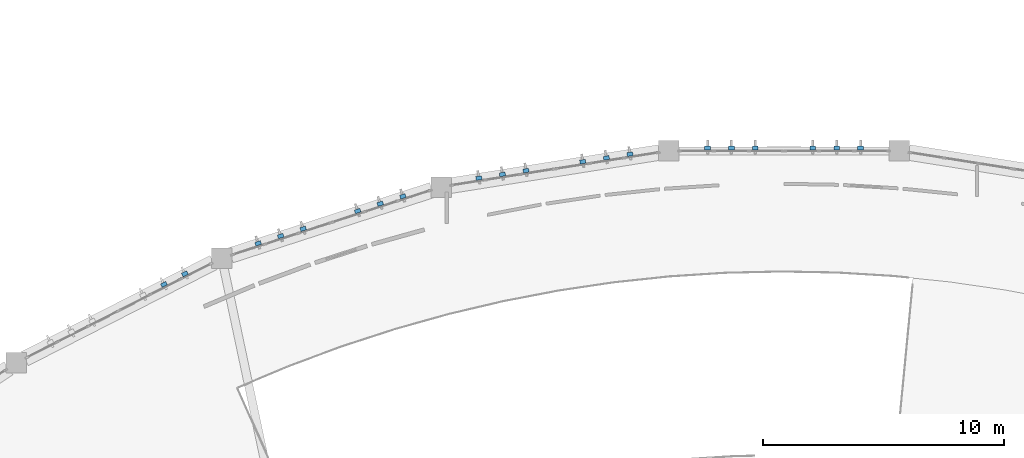
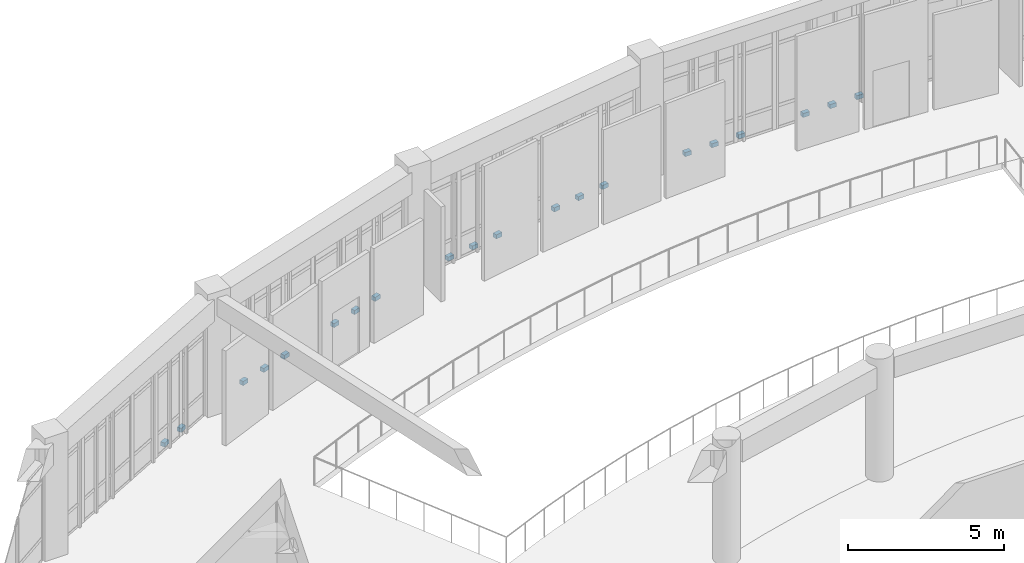
# One storey, part 59 of 68: 20 discrete accessories.
"""IFC4 building model written with IfcOpenShell, lengths in metres."""

from ifc_helpers import new_model, si_unit, direction, frame, origin, origin_2d, place, context, subcontext, project, spatial, rectangle, extrude, material, type_object, element, save


model = new_model("IFC4")

# Units and contexts
model_context = context("Model", 3, precision=1e-05, world=origin(), true_north=direction((0.0, 1.0)))
body_context = subcontext(model_context, "Body", "Model", "MODEL_VIEW")
ifc_project = project(units=[si_unit("LENGTHUNIT", "METRE"), si_unit("AREAUNIT", "SQUARE_METRE"), si_unit("VOLUMEUNIT", "CUBIC_METRE"), si_unit("PLANEANGLEUNIT", "RADIAN"), si_unit("MASSUNIT", "GRAM", prefix="KILO")], contexts=[model_context])

# Site, building, storey
site_placement = place(None, origin())
site = spatial("IfcSite", under=ifc_project, at=site_placement, CompositionType="ELEMENT")
building_placement = place(site_placement, origin())
building = spatial("IfcBuilding", under=site, at=building_placement, Name="Miralva Faculty of Natural Sciences", CompositionType="ELEMENT")
storey_placement = place(building_placement, frame((0.0, 0.0, 5.39990234375)))
storey = spatial("IfcBuildingStorey", under=building, at=storey_placement, Name="L01", CompositionType="ELEMENT", Elevation=5.39990234375)

# Discrete accessories
ifc_material = material(Name="Steel S355", Category="steel")
discrete_accessory_type = type_object("IfcDiscreteAccessoryType", Name="ACC-BRK01", PredefinedType="BRACKET", material=ifc_material)
for number, where, z_axis, x_axis, name in (
    (1, (64.26025390625, 34.2705078125, 0.0400390625), (0.0, 0.0, 1.0), (-0.45399049974, 0.891006524188, 0.0), "Solar fin bracket L01-5"),
    (2, (65.12939453125, 34.71337890625, 0.0400390625), (0.0, 0.0, 1.0), (-0.45399049974, 0.891006524188, 0.0), "Solar fin bracket L01-6"),
    (3, (68.16650390625, 35.973388671875, 0.0400390625), (0.0, 0.0, 1.0), (-0.309016994375, 0.951056516295, 0.0), "Solar fin bracket L01-7"),
    (4, (69.10205078125, 36.277587890625, 0.0400390625), (0.0, 0.0, 1.0), (-0.309016994375, 0.951056516295, 0.0), "Solar fin bracket L01-8"),
    (5, (70.03759765625, 36.581298828125, 0.0400390625), (0.0, 0.0, 1.0), (-0.309016994375, 0.951056516295, 0.0), "Solar fin bracket L01-9"),
    (6, (72.300537109375, 37.31689453125, 0.0400390625), (0.0, 0.0, 1.0), (-0.309016994375, 0.951056516295, 0.0), "Solar fin bracket L01-10"),
    (7, (73.237548828125, 37.62109375, 0.0400390625), (0.0, 0.0, 1.0), (-0.309016994375, 0.951056516295, 0.0), "Solar fin bracket L01-11"),
    (8, (74.1748046875, 37.92578125, 0.0400390625), (0.0, 0.0, 1.0), (-0.309016994375, 0.951056516295, 0.0), "Solar fin bracket L01-12"),
    (9, (77.331298828125, 38.68505859375, 0.0400390625), (0.0, 0.0, 1.0), (-0.15643446504, 0.987688340595, 0.0), "Solar fin bracket L01-13"),
    (10, (78.3095703125, 38.83984375, 0.0400390625), (0.0, 0.0, 1.0), (-0.15643446504, 0.987688340595, 0.0), "Solar fin bracket L01-14"),
    (11, (79.28759765625, 38.994873046875, 0.0400390625), (0.0, 0.0, 1.0), (-0.15643446504, 0.987688340595, 0.0), "Solar fin bracket L01-15"),
    (12, (81.64453125, 39.3681640625, 0.0400390625), (0.0, 0.0, 1.0), (-0.15643446504, 0.987688340595, 0.0), "Solar fin bracket L01-16"),
    (13, (82.624267578125, 39.523193359375, 0.0400390625), (0.0, 0.0, 1.0), (-0.15643446504, 0.987688340595, 0.0), "Solar fin bracket L01-17"),
    (14, (83.60400390625, 39.678466796875, 0.0400390625), (0.0, 0.0, 1.0), (-0.15643446504, 0.987688340595, 0.0), "Solar fin bracket L01-18"),
    (15, (86.82421875, 39.931884765625, 0.0400390625), (0.0, 0.0, 1.0), (0.0, 1.0, 0.0), "Solar fin bracket L01-19"),
    (16, (87.814453125, 39.931884765625, 0.0400390625), (0.0, 0.0, 1.0), (0.0, 1.0, 0.0), "Solar fin bracket L01-20"),
    (17, (88.8046875, 39.931884765625, 0.0400390625), (0.0, 0.0, 1.0), (0.0, 1.0, 0.0), "Solar fin bracket L01-21"),
    (18, (91.19091796875, 39.931884765625, 0.0400390625), (0.0, 0.0, 1.0), (0.0, 1.0, 0.0), "Solar fin bracket L01-22"),
    (19, (92.18310546875, 39.931884765625, 0.0400390625), (0.0, 0.0, 1.0), (0.0, 1.0, 0.0), "Solar fin bracket L01-23"),
    (20, (93.175048828125, 39.931884765625, 0.0400390625), (0.0, 0.0, 1.0), (0.0, 1.0, 0.0), "Solar fin bracket L01-24"),
):
    element("IfcDiscreteAccessory", number, at=place(storey_placement, frame(where, z_axis=z_axis, x_axis=x_axis)), inside=storey, type_object=discrete_accessory_type, Name=name, PredefinedType="BRACKET", context=body_context, shape_type="SweptSolid", body=[
        extrude(rectangle(XDim=0.159912109375, YDim=0.239990234375, at=origin_2d()), origin(), (0.0, 0.0, 1.0), 0.159912109375),
    ])

save(model, "model.ifc")
